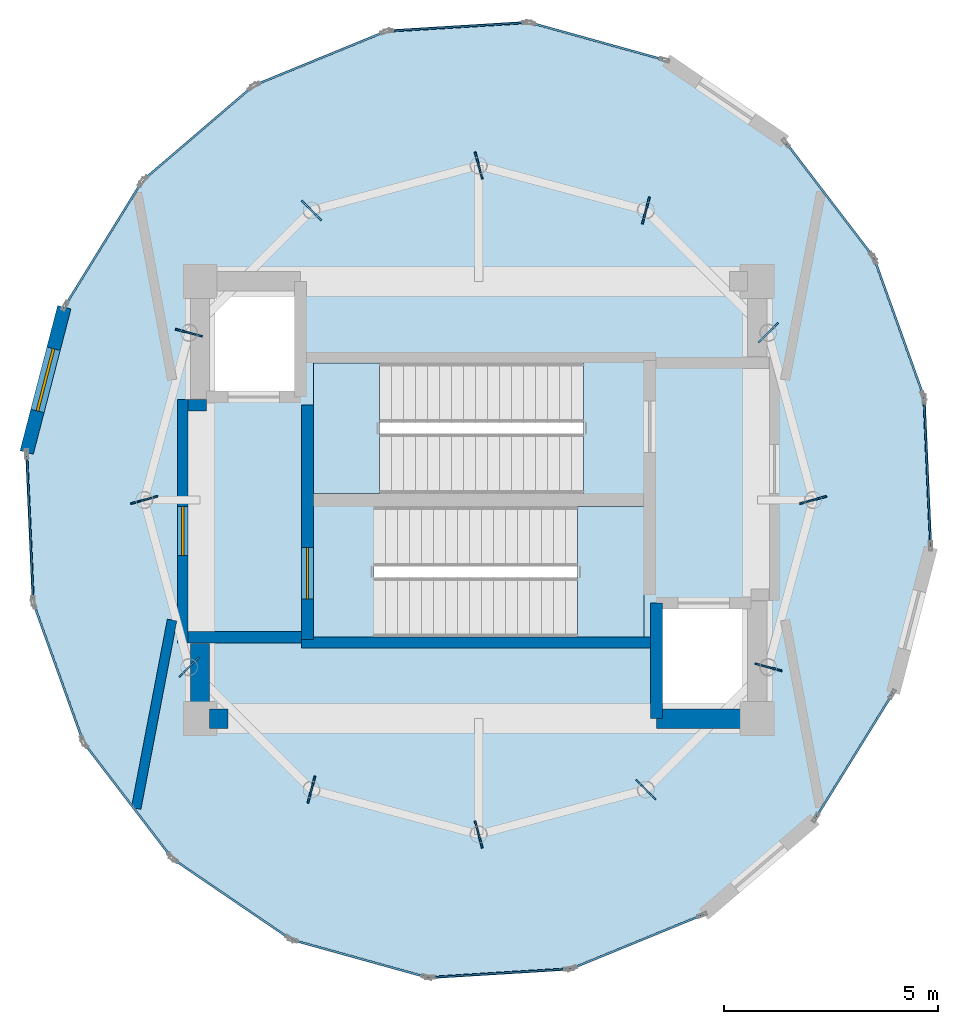
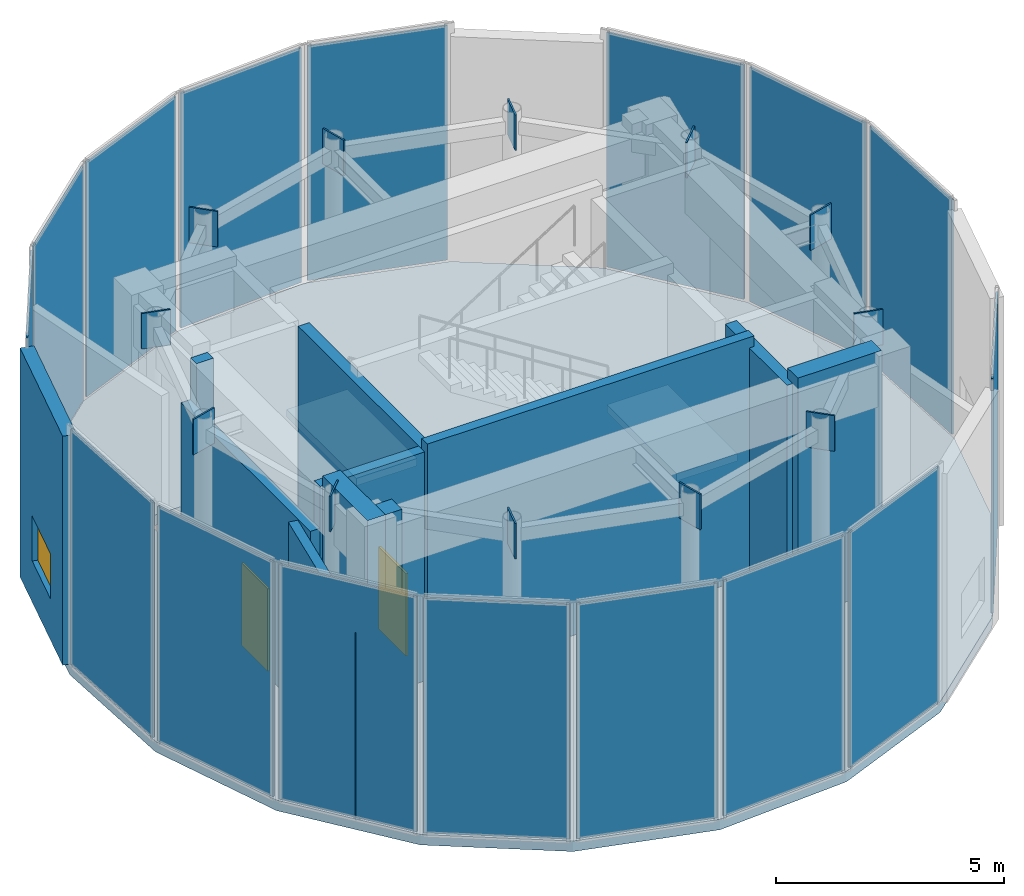
# One storey, part 6 of 8: 28 plates, 11 walls, 3 slabs, 2 doors, 1 window, 3 openings, 18 elements without a shape of their own.
"""IFC4 building model written with IfcOpenShell, lengths in metres."""

from ifc_helpers import new_model, si_unit, direction, frame, frame_2d, origin, origin_2d, place, context, subcontext, project, spatial, polyline, rectangle, outline, extrude, source, transform, mapped, material, layer, layer_set, type_object, element, fill, aggregate, save


model = new_model("IFC4")

# Units and contexts
model_context = context("Model", 3, precision=1e-05, world=origin(), true_north=direction((0.0, 1.0)))
body_context = subcontext(model_context, "Body", "Model", "MODEL_VIEW")
ifc_project = project(units=[si_unit("LENGTHUNIT", "METRE"), si_unit("AREAUNIT", "SQUARE_METRE"), si_unit("VOLUMEUNIT", "CUBIC_METRE"), si_unit("PLANEANGLEUNIT", "RADIAN"), si_unit("MASSUNIT", "GRAM", prefix="KILO")], contexts=[model_context])

# Site, building, storey
site_placement = place(None, origin())
site = spatial("IfcSite", under=ifc_project, at=site_placement, CompositionType="ELEMENT")
building_placement = place(site_placement, origin())
building = spatial("IfcBuilding", under=site, at=building_placement, Name="Solvirekh Grand Hotel", CompositionType="ELEMENT")
storey_placement = place(building_placement, frame((0.0, 0.0, 321.0)))
storey = spatial("IfcBuildingStorey", under=building, at=storey_placement, Name="L81", CompositionType="ELEMENT", Elevation=321.0)

# Stair, slab
ifc_material_1 = material(Name="Concrete C40/50", Category="concrete")
stair_type = type_object("IfcStairType", Name="Stair_Core_1450", PredefinedType="HALF_TURN_STAIR", material=ifc_material_1)
stair_1_placement = place(storey_placement, origin())
stair_1 = element("IfcStair", 1, at=stair_1_placement, inside=storey, type_object=stair_type, Name="L81 Enclosed exit stair ST-1", PredefinedType="HALF_TURN_STAIR")
ifc_layer_1 = layer(ifc_material_1, 0.199951171875)
ifc_layer_set_1 = layer_set([ifc_layer_1], Name="Concrete C40/50")
slab_type_1 = type_object("IfcSlabType", Name="Landing_Stair_200", PredefinedType="LANDING", material=ifc_layer_set_1)
slab_1_placement = place(storey_placement, frame((0.0, 0.0, 3.0)))
slab_1 = element("IfcSlab", 2, at=slab_1_placement, type_object=slab_type_1, Name="ST-1 landing 1", PredefinedType="LANDING", context=body_context, shape_type="SweptSolid", body=[
    extrude(outline(polyline([(2.31005859375, -3.199951171875), (3.85009765625, -3.199951171875), (3.85009765625, -0.14990234375), (2.31005859375, -0.14990234375), (2.31005859375, -3.199951171875)])), origin(), (0.0, 0.0, 1.0), 0.199951171875),
])
aggregate(stair_1, [slab_1])

stair_2_placement = place(storey_placement, origin())
stair_2 = element("IfcStair", 3, at=stair_2_placement, inside=storey, type_object=stair_type, Name="L81 Enclosed exit stair ST-2", PredefinedType="HALF_TURN_STAIR")
slab_2_placement = place(storey_placement, frame((0.0, 0.0, 3.0)))
slab_2 = element("IfcSlab", 4, at=slab_2_placement, type_object=slab_type_1, Name="ST-2 landing 1", PredefinedType="LANDING", context=body_context, shape_type="SweptSolid", body=[
    extrude(outline(polyline([(-2.31005859375, 3.199951171875), (-3.85009765625, 3.199951171875), (-3.85009765625, 0.14990234375), (-2.31005859375, 0.14990234375), (-2.31005859375, 3.199951171875)])), origin(), (0.0, 0.0, 1.0), 0.199951171875),
])
aggregate(stair_2, [slab_2])

# Plates
ifc_material_2 = material(Name="Steel S355", Category="steel")
ifc_layer_2 = layer(ifc_material_2, 0.0400390625)
ifc_layer_set_2 = layer_set([ifc_layer_2], Name="Steel S355")
plate_type_1 = type_object("IfcPlateType", Name="NodeCapPlate_40", PredefinedType="SHEET", material=ifc_layer_set_2)
for number, where, z_axis, x_axis, name in (
    (5, (7.800048828125, 0.0, 5.47021484375), (0.0, 0.0, 1.0), (-0.258819045103, 0.965925826289, 0.0), "L81 hollow-section node plate NP-L81-SP01"),
    (6, (6.7548828125, 3.89990234375, 5.47021484375), (0.0, 0.0, 1.0), (-0.707106781187, 0.707106781187, 0.0), "L81 hollow-section node plate NP-L81-SP02"),
    (7, (3.89990234375, 6.7548828125, 5.47021484375), (0.0, 0.0, 1.0), (-0.965925826289, 0.258819045103, 0.0), "L81 hollow-section node plate NP-L81-SP03"),
    (8, (0.0, 7.800048828125, 5.47021484375), (0.0, 0.0, 1.0), (-0.965925826289, -0.258819045103, 0.0), "L81 hollow-section node plate NP-L81-SP04"),
    (9, (-3.89990234375, 6.7548828125, 5.47021484375), (0.0, 0.0, 1.0), (-0.707106781187, -0.707106781187, 0.0), "L81 hollow-section node plate NP-L81-SP05"),
    (10, (-6.7548828125, 3.89990234375, 5.47021484375), (0.0, 0.0, 1.0), (-0.258819045103, -0.965925826289, 0.0), "L81 hollow-section node plate NP-L81-SP06"),
    (11, (-7.800048828125, 0.0, 5.47021484375), (0.0, 0.0, 1.0), (0.258819045103, -0.965925826289, 0.0), "L81 hollow-section node plate NP-L81-SP07"),
    (12, (-6.7548828125, -3.89990234375, 5.47021484375), (0.0, 0.0, 1.0), (0.707106781187, -0.707106781187, 0.0), "L81 hollow-section node plate NP-L81-SP08"),
    (13, (-3.89990234375, -6.7548828125, 5.47021484375), (0.0, 0.0, 1.0), (0.965925826289, -0.258819045103, 0.0), "L81 hollow-section node plate NP-L81-SP09"),
    (14, (0.0, -7.800048828125, 5.47021484375), (0.0, 0.0, 1.0), (0.965925826289, 0.258819045103, 0.0), "L81 hollow-section node plate NP-L81-SP10"),
    (15, (3.89990234375, -6.7548828125, 5.47021484375), (0.0, 0.0, 1.0), (0.707106781187, 0.707106781187, 0.0), "L81 hollow-section node plate NP-L81-SP11"),
    (16, (6.7548828125, -3.89990234375, 5.47021484375), (0.0, 0.0, 1.0), (0.258819045103, 0.965925826289, 0.0), "L81 hollow-section node plate NP-L81-SP12"),
):
    element("IfcPlate", number, at=place(storey_placement, frame(where, z_axis=z_axis, x_axis=x_axis)), inside=storey, type_object=plate_type_1, Name=name, PredefinedType="SHEET", context=body_context, shape_type="SweptSolid", body=[
        extrude(rectangle(XDim=0.0400390625, YDim=0.64990234375, at=origin_2d()), origin(), (0.0, 0.0, 1.0), 0.949951171875),
    ])

# Slab
ifc_layer_3 = layer(ifc_material_1, 0.280029296875)
ifc_layer_set_3 = layer_set([ifc_layer_3], Name="Concrete C40/50")
slab_type_2 = type_object("IfcSlabType", Name="Slab_Crown_280", PredefinedType="FLOOR", material=ifc_layer_set_3)
slab_3_placement = place(storey_placement, frame((0.0, 0.0, -0.280029296875)))
element("IfcSlab", 17, at=slab_3_placement, inside=storey, type_object=slab_type_2, Name="L81 structural floor slab", PredefinedType="FLOOR", context=body_context, shape_type="SweptSolid", body=[
    extrude(outline(polyline([(-1.1708984375, -11.138916015625), (2.14404296875, -10.93603515625), (5.2490234375, -9.6630859375), (7.840087890625, -7.444091796875), (9.6640625, -4.49609375), (10.5419921875, -1.10791015625), (10.387939453125, 2.387939453125), (9.217041015625, 5.65087890625), (7.14404296875, 8.360107421875), (4.37109375, 10.2509765625), (1.1708984375, 11.138916015625), (-2.14404296875, 10.93603515625), (-5.2490234375, 9.6630859375), (-7.840087890625, 7.444091796875), (-9.6640625, 4.49609375), (-10.5419921875, 1.10791015625), (-10.387939453125, -2.387939453125), (-9.217041015625, -5.65087890625), (-7.14404296875, -8.360107421875), (-4.37109375, -10.2509765625), (-1.1708984375, -11.138916015625)]), holes=[polyline([(-2.444091796875, -0.14990234375), (3.85009765625, -0.14990234375), (3.85009765625, -3.199951171875), (-2.444091796875, -3.199951171875), (-2.444091796875, -0.14990234375)]), polyline([(2.444091796875, 0.14990234375), (-3.85009765625, 0.14990234375), (-3.85009765625, 3.199951171875), (2.444091796875, 3.199951171875), (2.444091796875, 0.14990234375)]), polyline([(-6.35009765625, 5.10009765625), (-4.14990234375, 5.10009765625), (-4.14990234375, 2.39990234375), (-6.35009765625, 2.39990234375), (-6.35009765625, 5.10009765625)]), polyline([(4.14990234375, -2.39990234375), (6.35009765625, -2.39990234375), (6.35009765625, -5.10009765625), (4.14990234375, -5.10009765625), (4.14990234375, -2.39990234375)])]), origin(), (0.0, 0.0, 1.0), 0.280029296875),
])

# Curtain wall, plate
ifc_material_3 = material(Name="Anodized Bronze Aluminium 6063-T6", Category="aluminium")
ifc_layer_4 = layer(ifc_material_3, 0.219970703125)
ifc_layer_set_4 = layer_set([ifc_layer_4], Name="Anodized Bronze Aluminium 6063-T6")
curtain_wall_type = type_object("IfcCurtainWallType", Name="CW_Sys6_CrownFacetedPointCW", PredefinedType="NOTDEFINED", material=ifc_layer_set_4)
curtain_wall_1_placement = place(storey_placement, origin())
curtain_wall_1 = element("IfcCurtainWall", 18, at=curtain_wall_1_placement, inside=storey, type_object=curtain_wall_type, Name="L81 unitised bronze-glass curtain wall CW-L81-C01", PredefinedType="NOTDEFINED")
ifc_material_4 = material(Name="Champagne Low-Iron Crown Laminated Glass", Category="glass")
ifc_layer_5 = layer(ifc_material_4, 0.0458984375)
ifc_layer_set_5 = layer_set([ifc_layer_5], Name="Champagne Low-Iron Crown Laminated Glass")
plate_type_2 = type_object("IfcPlateType", Name="CWPanel_Crown_46", PredefinedType="CURTAIN_PANEL", material=ifc_layer_set_5)
shared_shape_1 = source(origin(), body_context, "Body", "SweptSolid", [
    extrude(rectangle(XDim=3.171142578125, YDim=0.0458984375, at=origin_2d()), origin(), (0.0, 0.0, 1.0), 6.27001953125),
])
plate_1_placement = place(storey_placement, frame((0.486572265625, -11.03759765625, 0.06494140625), z_axis=(0.0, 0.0, 1.0), x_axis=(0.998130283875, 0.061122306981, 0.0)))
plate_1 = element("IfcPlate", 19, at=plate_1_placement, type_object=plate_type_2, Name="U06 panel 1.1", PredefinedType="CURTAIN_PANEL", context=body_context, shape_type="MappedRepresentation", body=[
    mapped(shared_shape_1, transform((0.0, 0.0, 0.0), x_axis=(1.0, 0.0, 0.0), y_axis=(0.0, 1.0, 0.0), z_axis=(0.0, 0.0, 1.0), scale=1.0)),
])
aggregate(curtain_wall_1, [plate_1])

curtain_wall_2_placement = place(storey_placement, origin())
curtain_wall_2 = element("IfcCurtainWall", 20, at=curtain_wall_2_placement, inside=storey, type_object=curtain_wall_type, Name="L81 unitised bronze-glass curtain wall CW-L81-C11", PredefinedType="NOTDEFINED")
plate_2_placement = place(storey_placement, frame((-0.486572265625, 11.03759765625, 0.06494140625), z_axis=(0.0, 0.0, 1.0), x_axis=(-0.998130283875, -0.061122306981, 0.0)))
plate_2 = element("IfcPlate", 21, at=plate_2_placement, type_object=plate_type_2, Name="U06 panel 1.1", PredefinedType="CURTAIN_PANEL", context=body_context, shape_type="MappedRepresentation", body=[
    mapped(shared_shape_1, transform((0.0, 0.0, 0.0), x_axis=(1.0, 0.0, 0.0), y_axis=(0.0, 1.0, 0.0), z_axis=(0.0, 0.0, 1.0), scale=1.0)),
])
aggregate(curtain_wall_2, [plate_2])

curtain_wall_3_placement = place(storey_placement, origin())
curtain_wall_3 = element("IfcCurtainWall", 22, at=curtain_wall_3_placement, inside=storey, type_object=curtain_wall_type, Name="L81 unitised bronze-glass curtain wall CW-L81-C02", PredefinedType="NOTDEFINED")
shared_shape_2 = source(origin(), body_context, "Body", "SweptSolid", [
    extrude(rectangle(XDim=3.205810546875, YDim=0.0458984375, at=origin_2d()), origin(), (0.0, 0.0, 1.0), 6.27001953125),
])
plate_3_placement = place(storey_placement, frame((3.696533203125, -10.299560546875, 0.06494140625), z_axis=(0.0, 0.0, 1.0), x_axis=(0.925257134793, 0.379340525801, 0.0)))
plate_3 = element("IfcPlate", 23, at=plate_3_placement, type_object=plate_type_2, Name="U06 panel 1.1", PredefinedType="CURTAIN_PANEL", context=body_context, shape_type="MappedRepresentation", body=[
    mapped(shared_shape_2, transform((0.0, 0.0, 0.0), x_axis=(1.0, 0.0, 0.0), y_axis=(0.0, 1.0, 0.0), z_axis=(0.0, 0.0, 1.0), scale=1.0)),
])
aggregate(curtain_wall_3, [plate_3])

curtain_wall_4_placement = place(storey_placement, origin())
curtain_wall_4 = element("IfcCurtainWall", 24, at=curtain_wall_4_placement, inside=storey, type_object=curtain_wall_type, Name="L81 unitised bronze-glass curtain wall CW-L81-C12", PredefinedType="NOTDEFINED")
plate_4_placement = place(storey_placement, frame((-3.696533203125, 10.299560546875, 0.06494140625), z_axis=(0.0, 0.0, 1.0), x_axis=(-0.925257134793, -0.379340525801, 0.0)))
plate_4 = element("IfcPlate", 25, at=plate_4_placement, type_object=plate_type_2, Name="U06 panel 1.1", PredefinedType="CURTAIN_PANEL", context=body_context, shape_type="MappedRepresentation", body=[
    mapped(shared_shape_2, transform((0.0, 0.0, 0.0), x_axis=(1.0, 0.0, 0.0), y_axis=(0.0, 1.0, 0.0), z_axis=(0.0, 0.0, 1.0), scale=1.0)),
])
aggregate(curtain_wall_4, [plate_4])

curtain_wall_5_placement = place(storey_placement, origin())
curtain_wall_5 = element("IfcCurtainWall", 26, at=curtain_wall_5_placement, inside=storey, type_object=curtain_wall_type, Name="L81 unitised bronze-glass curtain wall CW-L81-C04", PredefinedType="NOTDEFINED")
shared_shape_3 = source(origin(), body_context, "Body", "SweptSolid", [
    extrude(rectangle(XDim=3.316650390625, YDim=0.0458984375, at=origin_2d()), origin(), (0.0, 0.0, 1.0), 6.27001953125),
])
plate_5_placement = place(storey_placement, frame((8.751953125, -5.969970703125, 0.06494140625), z_axis=(0.0, 0.0, 1.0), x_axis=(0.52615598659, 0.850388074808, 0.0)))
plate_5 = element("IfcPlate", 27, at=plate_5_placement, type_object=plate_type_2, Name="U06 panel 1.1", PredefinedType="CURTAIN_PANEL", context=body_context, shape_type="MappedRepresentation", body=[
    mapped(shared_shape_3, transform((0.0, 0.0, 0.0), x_axis=(1.0, 0.0, 0.0), y_axis=(0.0, 1.0, 0.0), z_axis=(0.0, 0.0, 1.0), scale=1.0)),
])
aggregate(curtain_wall_5, [plate_5])

curtain_wall_6_placement = place(storey_placement, origin())
curtain_wall_6 = element("IfcCurtainWall", 28, at=curtain_wall_6_placement, inside=storey, type_object=curtain_wall_type, Name="L81 unitised bronze-glass curtain wall CW-L81-C07", PredefinedType="NOTDEFINED")
plate_6_placement = place(storey_placement, frame((9.802490234375, 4.01953125, 0.06494140625), z_axis=(0.0, 0.0, 1.0), x_axis=(-0.337779576826, 0.941225242691, 0.0)))
plate_6 = element("IfcPlate", 29, at=plate_6_placement, type_object=plate_type_2, Name="U06 panel 1.1", PredefinedType="CURTAIN_PANEL", context=body_context, shape_type="MappedRepresentation", body=[
    mapped(shared_shape_3, transform((0.0, 0.0, 0.0), x_axis=(1.0, 0.0, 0.0), y_axis=(0.0, 1.0, 0.0), z_axis=(0.0, 0.0, 1.0), scale=1.0)),
])
aggregate(curtain_wall_6, [plate_6])

curtain_wall_7_placement = place(storey_placement, origin())
curtain_wall_7 = element("IfcCurtainWall", 30, at=curtain_wall_7_placement, inside=storey, type_object=curtain_wall_type, Name="L81 unitised bronze-glass curtain wall CW-L81-C14", PredefinedType="NOTDEFINED")
plate_7_placement = place(storey_placement, frame((-8.751953125, 5.969970703125, 0.06494140625), z_axis=(0.0, 0.0, 1.0), x_axis=(-0.52615598659, -0.850388074808, 0.0)))
plate_7 = element("IfcPlate", 31, at=plate_7_placement, type_object=plate_type_2, Name="U06 panel 1.1", PredefinedType="CURTAIN_PANEL", context=body_context, shape_type="MappedRepresentation", body=[
    mapped(shared_shape_3, transform((0.0, 0.0, 0.0), x_axis=(1.0, 0.0, 0.0), y_axis=(0.0, 1.0, 0.0), z_axis=(0.0, 0.0, 1.0), scale=1.0)),
])
aggregate(curtain_wall_7, [plate_7])

curtain_wall_8_placement = place(storey_placement, origin())
curtain_wall_8 = element("IfcCurtainWall", 32, at=curtain_wall_8_placement, inside=storey, type_object=curtain_wall_type, Name="L81 unitised bronze-glass curtain wall CW-L81-C17", PredefinedType="NOTDEFINED")
plate_8_placement = place(storey_placement, frame((-9.802490234375, -4.01953125, 0.06494140625), z_axis=(0.0, 0.0, 1.0), x_axis=(0.337779576826, -0.941225242691, 0.0)))
plate_8 = element("IfcPlate", 33, at=plate_8_placement, type_object=plate_type_2, Name="U06 panel 1.1", PredefinedType="CURTAIN_PANEL", context=body_context, shape_type="MappedRepresentation", body=[
    mapped(shared_shape_3, transform((0.0, 0.0, 0.0), x_axis=(1.0, 0.0, 0.0), y_axis=(0.0, 1.0, 0.0), z_axis=(0.0, 0.0, 1.0), scale=1.0)),
])
aggregate(curtain_wall_8, [plate_8])

curtain_wall_9_placement = place(storey_placement, origin())
curtain_wall_9 = element("IfcCurtainWall", 34, at=curtain_wall_9_placement, inside=storey, type_object=curtain_wall_type, Name="L81 unitised bronze-glass curtain wall CW-L81-C06", PredefinedType="NOTDEFINED")
shared_shape_4 = source(origin(), body_context, "Body", "SweptSolid", [
    extrude(rectangle(XDim=3.349365234375, YDim=0.0458984375, at=origin_2d()), origin(), (0.0, 0.0, 1.0), 6.27001953125),
])
plate_9_placement = place(storey_placement, frame((10.465087890625, 0.639892578125, 0.06494140625), z_axis=(0.0, 0.0, 1.0), x_axis=(-0.044007666982, 0.99903119333, 0.0)))
plate_9 = element("IfcPlate", 35, at=plate_9_placement, type_object=plate_type_2, Name="U06 panel 1.1", PredefinedType="CURTAIN_PANEL", context=body_context, shape_type="MappedRepresentation", body=[
    mapped(shared_shape_4, transform((0.0, 0.0, 0.0), x_axis=(1.0, 0.0, 0.0), y_axis=(0.0, 1.0, 0.0), z_axis=(0.0, 0.0, 1.0), scale=1.0)),
])
aggregate(curtain_wall_9, [plate_9])

curtain_wall_10_placement = place(storey_placement, origin())
curtain_wall_10 = element("IfcCurtainWall", 36, at=curtain_wall_10_placement, inside=storey, type_object=curtain_wall_type, Name="L81 unitised bronze-glass curtain wall CW-L81-C16", PredefinedType="NOTDEFINED")
plate_10_placement = place(storey_placement, frame((-10.465087890625, -0.639892578125, 0.06494140625), z_axis=(0.0, 0.0, 1.0), x_axis=(0.044007666982, -0.99903119333, 0.0)))
plate_10 = element("IfcPlate", 37, at=plate_10_placement, type_object=plate_type_2, Name="U06 panel 1.1", PredefinedType="CURTAIN_PANEL", context=body_context, shape_type="MappedRepresentation", body=[
    mapped(shared_shape_4, transform((0.0, 0.0, 0.0), x_axis=(1.0, 0.0, 0.0), y_axis=(0.0, 1.0, 0.0), z_axis=(0.0, 0.0, 1.0), scale=1.0)),
])
aggregate(curtain_wall_10, [plate_10])

curtain_wall_11_placement = place(storey_placement, origin())
curtain_wall_11 = element("IfcCurtainWall", 38, at=curtain_wall_11_placement, inside=storey, type_object=curtain_wall_type, Name="L81 unitised bronze-glass curtain wall CW-L81-C08", PredefinedType="NOTDEFINED")
shared_shape_5 = source(origin(), body_context, "Body", "SweptSolid", [
    extrude(rectangle(XDim=3.26123046875, YDim=0.0458984375, at=origin_2d()), origin(), (0.0, 0.0, 1.0), 6.27001953125),
])
plate_11_placement = place(storey_placement, frame((8.180419921875, 7.005615234375, 0.06494140625), z_axis=(0.0, 0.0, 1.0), x_axis=(-0.607711226311, 0.79415808591, 0.0)))
plate_11 = element("IfcPlate", 39, at=plate_11_placement, type_object=plate_type_2, Name="U06 panel 1.1", PredefinedType="CURTAIN_PANEL", context=body_context, shape_type="MappedRepresentation", body=[
    mapped(shared_shape_5, transform((0.0, 0.0, 0.0), x_axis=(1.0, 0.0, 0.0), y_axis=(0.0, 1.0, 0.0), z_axis=(0.0, 0.0, 1.0), scale=1.0)),
])
aggregate(curtain_wall_11, [plate_11])

curtain_wall_12_placement = place(storey_placement, origin())
curtain_wall_12 = element("IfcCurtainWall", 40, at=curtain_wall_12_placement, inside=storey, type_object=curtain_wall_type, Name="L81 unitised bronze-glass curtain wall CW-L81-C13", PredefinedType="NOTDEFINED")
plate_12_placement = place(storey_placement, frame((-6.54443359375, 8.553466796875, 0.06494140625), z_axis=(0.0, 0.0, 1.0), x_axis=(-0.759525536496, -0.650477485706, 0.0)))
plate_12 = element("IfcPlate", 41, at=plate_12_placement, type_object=plate_type_2, Name="U06 panel 1.1", PredefinedType="CURTAIN_PANEL", context=body_context, shape_type="MappedRepresentation", body=[
    mapped(shared_shape_5, transform((0.0, 0.0, 0.0), x_axis=(1.0, 0.0, 0.0), y_axis=(0.0, 1.0, 0.0), z_axis=(0.0, 0.0, 1.0), scale=1.0)),
])
aggregate(curtain_wall_12, [plate_12])

curtain_wall_13_placement = place(storey_placement, origin())
curtain_wall_13 = element("IfcCurtainWall", 42, at=curtain_wall_13_placement, inside=storey, type_object=curtain_wall_type, Name="L81 unitised bronze-glass curtain wall CW-L81-C18", PredefinedType="NOTDEFINED")
plate_13_placement = place(storey_placement, frame((-8.180419921875, -7.005615234375, 0.06494140625), z_axis=(0.0, 0.0, 1.0), x_axis=(0.607711226311, -0.79415808591, 0.0)))
plate_13 = element("IfcPlate", 43, at=plate_13_placement, type_object=plate_type_2, Name="U06 panel 1.1", PredefinedType="CURTAIN_PANEL", context=body_context, shape_type="MappedRepresentation", body=[
    mapped(shared_shape_5, transform((0.0, 0.0, 0.0), x_axis=(1.0, 0.0, 0.0), y_axis=(0.0, 1.0, 0.0), z_axis=(0.0, 0.0, 1.0), scale=1.0)),
])
aggregate(curtain_wall_13, [plate_13])

curtain_wall_14_placement = place(storey_placement, origin())
curtain_wall_14 = element("IfcCurtainWall", 44, at=curtain_wall_14_placement, inside=storey, type_object=curtain_wall_type, Name="L81 unitised bronze-glass curtain wall CW-L81-C10", PredefinedType="NOTDEFINED")
shared_shape_6 = source(origin(), body_context, "Body", "SweptSolid", [
    extrude(rectangle(XDim=3.1708984375, YDim=0.0458984375, at=origin_2d()), origin(), (0.0, 0.0, 1.0), 6.27001953125),
])
plate_14_placement = place(storey_placement, frame((2.77099609375, 10.695068359375, 0.06494140625), z_axis=(0.0, 0.0, 1.0), x_axis=(-0.963586902436, 0.267395365432, 0.0)))
plate_14 = element("IfcPlate", 45, at=plate_14_placement, type_object=plate_type_2, Name="U06 panel 1.1", PredefinedType="CURTAIN_PANEL", context=body_context, shape_type="MappedRepresentation", body=[
    mapped(shared_shape_6, transform((0.0, 0.0, 0.0), x_axis=(1.0, 0.0, 0.0), y_axis=(0.0, 1.0, 0.0), z_axis=(0.0, 0.0, 1.0), scale=1.0)),
])
aggregate(curtain_wall_14, [plate_14])

curtain_wall_15_placement = place(storey_placement, origin())
curtain_wall_15 = element("IfcCurtainWall", 46, at=curtain_wall_15_placement, inside=storey, type_object=curtain_wall_type, Name="L81 unitised bronze-glass curtain wall CW-L81-C20", PredefinedType="NOTDEFINED")
plate_15_placement = place(storey_placement, frame((-2.77099609375, -10.695068359375, 0.06494140625), z_axis=(0.0, 0.0, 1.0), x_axis=(0.963586902436, -0.267395365432, 0.0)))
plate_15 = element("IfcPlate", 47, at=plate_15_placement, type_object=plate_type_2, Name="U06 panel 1.1", PredefinedType="CURTAIN_PANEL", context=body_context, shape_type="MappedRepresentation", body=[
    mapped(shared_shape_6, transform((0.0, 0.0, 0.0), x_axis=(1.0, 0.0, 0.0), y_axis=(0.0, 1.0, 0.0), z_axis=(0.0, 0.0, 1.0), scale=1.0)),
])
aggregate(curtain_wall_15, [plate_15])

curtain_wall_16_placement = place(storey_placement, origin())
curtain_wall_16 = element("IfcCurtainWall", 48, at=curtain_wall_16_placement, inside=storey, type_object=curtain_wall_type, Name="L81 unitised bronze-glass curtain wall CW-L81-C19", PredefinedType="NOTDEFINED")
shared_shape_7 = source(origin(), body_context, "Body", "SweptSolid", [
    extrude(rectangle(XDim=3.206298828125, YDim=0.0458984375, at=origin_2d()), origin(), (0.0, 0.0, 1.0), 6.27001953125),
])
plate_16_placement = place(storey_placement, frame((-5.757568359375, -9.305419921875, 0.06494140625), z_axis=(0.0, 0.0, 1.0), x_axis=(0.82618321681, -0.563401537327, 0.0)))
plate_16 = element("IfcPlate", 49, at=plate_16_placement, type_object=plate_type_2, Name="U06 panel 1.1", PredefinedType="CURTAIN_PANEL", context=body_context, shape_type="MappedRepresentation", body=[
    mapped(shared_shape_7, transform((0.0, 0.0, 0.0), x_axis=(1.0, 0.0, 0.0), y_axis=(0.0, 1.0, 0.0), z_axis=(0.0, 0.0, 1.0), scale=1.0)),
])
aggregate(curtain_wall_16, [plate_16])

# Walls
ifc_material_5 = material(Name="Concrete C50/60", Category="concrete")
ifc_layer_6 = layer(ifc_material_5, 0.35009765625)
ifc_layer_set_6 = layer_set([ifc_layer_6], Name="Concrete C50/60")
wall_type_1 = type_object("IfcWallType", Name="CoreDivWall_RC350", PredefinedType="SOLIDWALL", material=ifc_layer_set_6)
wall_1_placement = place(storey_placement, frame((-4.1298828125, -3.324951171875, 0.0), z_axis=(0.0, 0.0, 1.0), x_axis=(1.0, 0.0, 0.0)))
element("IfcWall", 50, at=wall_1_placement, inside=storey, type_object=wall_type_1, Name="L81 core stair box wall ST-S", PredefinedType="SOLIDWALL", context=body_context, shape_type="SweptSolid", body=[
    extrude(rectangle(XDim=8.259765625, YDim=0.25, at=frame_2d((4.1298828125, 0.0))), origin(), (0.0, 0.0, 1.0), 6.39990234375),
])
ifc_layer_7 = layer(ifc_material_1, 0.280029296875)
ifc_layer_set_7 = layer_set([ifc_layer_7], Name="Concrete C40/50")
wall_type_2 = type_object("IfcWallType", Name="CoreShaftWall_RC280", PredefinedType="SOLIDWALL", material=ifc_layer_set_7)
wall_2_placement = place(storey_placement, frame((4.14990234375, -2.39990234375, 0.0), z_axis=(0.0, 0.0, 1.0), x_axis=(0.0, -1.0, 0.0)))
element("IfcWall", 51, at=wall_2_placement, inside=storey, type_object=wall_type_2, Name="L81 FL-2 hoistway W wall", PredefinedType="SOLIDWALL", context=body_context, shape_type="SweptSolid", body=[
    extrude(rectangle(XDim=2.7001953125, YDim=0.280029296875, at=frame_2d((1.35009765625, 0.0))), origin(), (0.0, 0.0, 1.0), 6.1201171875),
])

# Wall, opening, door
wall_3_placement = place(storey_placement, frame((-3.989990234375, -3.25, 0.0), z_axis=(0.0, 0.0, 1.0), x_axis=(0.0, 1.0, 0.0)))
wall_3 = element("IfcWall", 52, at=wall_3_placement, inside=storey, type_object=wall_type_2, Name="L81 west stair landing enclosure wall", PredefinedType="SOLIDWALL", context=body_context, shape_type="SweptSolid", body=[
    extrude(rectangle(XDim=5.4599609375, YDim=0.280029296875, at=frame_2d((2.72998046875, 0.0))), origin(), (0.0, 0.0, 1.0), 6.1201171875),
])
opening_1_placement = place(wall_3_placement, frame((0.93701171875, 0.0, 0.0)))
opening_1 = element("IfcOpeningElement", 53, at=opening_1_placement, cuts=wall_3, Name="Opening D05", PredefinedType="OPENING", context=body_context, shape_type="SweptSolid", body=[
    extrude(rectangle(XDim=1.199951171875, YDim=2.199951171875, at=frame_2d((0.60009765625, 1.10009765625))), frame((0.0, 0.14990234375, 0.0), z_axis=(0.0, -1.0, 0.0), x_axis=(1.0, 0.0, 0.0)), (0.0, 0.0, 1.0), 0.300048828125),
])
ifc_material_6 = material(Name="Fire-Rated Steel Door Assembly", Category="steel")
door_type_1 = type_object("IfcDoorType", Name="Door_StairCore_1200X2200", OperationType="NOTDEFINED", PredefinedType="DOOR", material=ifc_material_6)
door_1_placement = place(opening_1_placement, origin())
door_1 = element("IfcDoor", 54, at=door_1_placement, inside=storey, type_object=door_type_1, Name="L81 exit stair ST-1 fire door", OperationType="SINGLE_SWING_RIGHT", OverallHeight=2.199951171875, OverallWidth=1.199951171875, PredefinedType="DOOR", context=body_context, shape_type="SweptSolid", body=[
    extrude(rectangle(XDim=1.199951171875, YDim=2.199951171875, at=frame_2d((0.60009765625, 1.10009765625))), frame((0.0, 0.02490234375, 0.0), z_axis=(0.0, -1.0, 0.0), x_axis=(1.0, 0.0, 0.0)), (0.0, 0.0, 1.0), 0.050048828125),
])
fill(opening_1, door_1)

# Walls
ifc_layer_8 = layer(ifc_material_5, 0.449951171875)
ifc_layer_set_8 = layer_set([ifc_layer_8], Name="Concrete C50/60")
wall_type_3 = type_object("IfcWallType", Name="CoreWall_RC450", PredefinedType="SHEAR", material=ifc_layer_set_8)
wall_4_placement = place(storey_placement, frame((-6.27490234375, -5.10009765625, 0.0), z_axis=(0.0, 0.0, 1.0), x_axis=(1.0, 0.0, 0.0)))
element("IfcWall", 55, at=wall_4_placement, inside=storey, type_object=wall_type_3, Name="L81 core corner shear wall SW-S", PredefinedType="SHEAR", context=body_context, shape_type="SweptSolid", body=[
    extrude(rectangle(XDim=0.4248046875, YDim=0.449951171875, at=frame_2d((0.21240234375, 0.0))), origin(), (0.0, 0.0, 1.0), 6.39990234375),
])
wall_5_placement = place(storey_placement, frame((4.14990234375, -5.10009765625, 0.0), z_axis=(0.0, 0.0, 1.0), x_axis=(1.0, 0.0, 0.0)))
element("IfcWall", 56, at=wall_5_placement, inside=storey, type_object=wall_type_3, Name="L81 core corner shear wall SE-S", PredefinedType="SHEAR", context=body_context, shape_type="SweptSolid", body=[
    extrude(rectangle(XDim=2.125, YDim=0.449951171875, at=frame_2d((1.0625, 0.0))), origin(), (0.0, 0.0, 1.0), 6.39990234375),
])
wall_6_placement = place(storey_placement, frame((-6.5, -5.324951171875, 0.0), z_axis=(0.0, 0.0, 1.0), x_axis=(0.0, 1.0, 0.0)))
element("IfcWall", 57, at=wall_6_placement, inside=storey, type_object=wall_type_3, Name="L81 core corner shear wall WS-W", PredefinedType="SHEAR", context=body_context, shape_type="SweptSolid", body=[
    extrude(rectangle(XDim=1.974853515625, YDim=0.449951171875, at=frame_2d((0.9873046875, 0.0))), origin(), (0.0, 0.0, 1.0), 6.39990234375),
])

# Wall, opening, window
ifc_material_7 = material(Name="Precast concrete C45/55", Category="concrete")
ifc_layer_9 = layer(ifc_material_7, 0.320068359375)
ifc_layer_set_9 = layer_set([ifc_layer_9], Name="Precast concrete C45/55")
wall_type_4 = type_object("IfcWallType", Name="ExtLobbyWall_RC320", PredefinedType="SOLIDWALL", material=ifc_layer_set_9)
wall_7_placement = place(storey_placement, frame((-10.5419921875, 1.10791015625, 0.0), z_axis=(0.0, 0.0, 1.0), x_axis=(0.250831437046, 0.968030779567, 0.0)))
wall_7 = element("IfcWall", 58, at=wall_7_placement, inside=storey, type_object=wall_type_4, Name="L81 exterior structural wall chord 15", PredefinedType="SOLIDWALL", context=body_context, shape_type="SweptSolid", body=[
    extrude(rectangle(XDim=3.5, YDim=0.320068359375, at=frame_2d((1.75, 0.0))), origin(), (0.0, 0.0, 1.0), 6.1201171875),
])
opening_2_placement = place(wall_7_placement, frame((1.0, 0.0, 1.10009765625)))
opening_2 = element("IfcOpeningElement", 59, at=opening_2_placement, cuts=wall_7, Name="Opening W05", PredefinedType="OPENING", context=body_context, shape_type="SweptSolid", body=[
    extrude(rectangle(XDim=1.5, YDim=1.199951171875, at=frame_2d((0.75, 0.60009765625))), frame((0.0, 0.169921875, 0.0), z_axis=(0.0, -1.0, 0.0), x_axis=(1.0, 0.0, 0.0)), (0.0, 0.0, 1.0), 0.340087890625),
])
ifc_material_8 = material(Name="Low-E Tinted Bronze Laminated Glass", Category="aluminium")
window_type = type_object("IfcWindowType", Name="Win_PlantVent_1500X1200", PartitioningType="SINGLE_PANEL", PredefinedType="WINDOW", material=ifc_material_8)
window_placement = place(opening_2_placement, origin())
window = element("IfcWindow", 60, at=window_placement, inside=storey, type_object=window_type, Name="L81 mechanical louvre window 15", OverallHeight=1.199951171875, OverallWidth=1.5, PartitioningType="SINGLE_PANEL", PredefinedType="WINDOW", context=body_context, shape_type="SweptSolid", body=[
    extrude(rectangle(XDim=1.5, YDim=1.199951171875, at=frame_2d((0.75, 0.60009765625))), frame((0.0, 0.030029296875, 0.0), z_axis=(0.0, -1.0, 0.0), x_axis=(1.0, 0.0, 0.0)), (0.0, 0.0, 1.0), 0.06005859375),
])
fill(opening_2, window)

# Wall, opening, door
ifc_material_9 = material(Name="Acoustic Gypsum Partition Assembly")
ifc_layer_10 = layer(ifc_material_9, 0.239990234375)
ifc_layer_set_10 = layer_set([ifc_layer_10], Name="Acoustic Gypsum Partition Assembly")
wall_type_5 = type_object("IfcWallType", Name="Part_Corridor_240", PredefinedType="PARTITIONING", material=ifc_layer_set_10)
wall_8_placement = place(storey_placement, frame((-6.89990234375, -3.330078125, 0.0), z_axis=(0.0, 0.0, 1.0), x_axis=(0.0, 1.0, 0.0)))
wall_8 = element("IfcWall", 61, at=wall_8_placement, inside=storey, type_object=wall_type_5, Name="L81 west firefighting lobby smoke screen wall", PredefinedType="PARTITIONING", context=body_context, shape_type="SweptSolid", body=[
    extrude(rectangle(XDim=5.670166015625, YDim=0.239990234375, at=frame_2d((2.8349609375, 0.0))), origin(), (0.0, 0.0, 1.0), 5.0048828125),
])
opening_3_placement = place(wall_8_placement, frame((2.033935546875, 0.0, 0.0)))
opening_3 = element("IfcOpeningElement", 62, at=opening_3_placement, cuts=wall_8, Name="Opening D06", PredefinedType="OPENING", context=body_context, shape_type="SweptSolid", body=[
    extrude(rectangle(XDim=1.14990234375, YDim=2.199951171875, at=frame_2d((0.574951171875, 1.10009765625))), frame((0.0, 0.1298828125, 0.0), z_axis=(0.0, -1.0, 0.0), x_axis=(1.0, 0.0, 0.0)), (0.0, 0.0, 1.0), 0.260009765625),
])
door_type_2 = type_object("IfcDoorType", Name="Door_FFLobby_1150X2200", OperationType="NOTDEFINED", PredefinedType="DOOR", material=ifc_material_6)
door_2_placement = place(opening_3_placement, origin())
door_2 = element("IfcDoor", 63, at=door_2_placement, inside=storey, type_object=door_type_2, Name="L81 west firefighting lobby smoke door", OperationType="SINGLE_SWING_RIGHT", OverallHeight=2.199951171875, OverallWidth=1.14990234375, PredefinedType="DOOR", context=body_context, shape_type="SweptSolid", body=[
    extrude(rectangle(XDim=1.14990234375, YDim=2.199951171875, at=frame_2d((0.574951171875, 1.10009765625))), frame((0.0, 0.02490234375, 0.0), z_axis=(0.0, -1.0, 0.0), x_axis=(1.0, 0.0, 0.0)), (0.0, 0.0, 1.0), 0.050048828125),
])
fill(opening_3, door_2)

# Walls
ifc_layer_11 = layer(ifc_material_9, 0.260009765625)
ifc_layer_set_11 = layer_set([ifc_layer_11], Name="Acoustic Gypsum Partition Assembly")
wall_type_6 = type_object("IfcWallType", Name="Part_LobbyFF_260", PredefinedType="PARTITIONING", material=ifc_layer_set_11)
wall_9_placement = place(storey_placement, frame((-6.77490234375, -3.199951171875, 0.0), z_axis=(0.0, 0.0, 1.0), x_axis=(1.0, 0.0, 0.0)))
element("IfcWall", 64, at=wall_9_placement, inside=storey, type_object=wall_type_6, Name="L81 west firefighting lobby south partition", PredefinedType="PARTITIONING", context=body_context, shape_type="SweptSolid", body=[
    extrude(rectangle(XDim=2.64501953125, YDim=0.260009765625, at=frame_2d((1.322509765625, 0.0))), origin(), (0.0, 0.0, 1.0), 6.1201171875),
])
wall_10_placement = place(storey_placement, frame((-6.77490234375, 2.2099609375, 0.0), z_axis=(0.0, 0.0, 1.0), x_axis=(1.0, 0.0, 0.0)))
element("IfcWall", 65, at=wall_10_placement, inside=storey, type_object=wall_type_6, Name="L81 west firefighting lobby NW cheek", PredefinedType="PARTITIONING", context=body_context, shape_type="SweptSolid", body=[
    extrude(rectangle(XDim=0.4248046875, YDim=0.260009765625, at=frame_2d((0.21240234375, 0.0))), origin(), (0.0, 0.0, 1.0), 6.1201171875),
])
ifc_layer_12 = layer(ifc_material_7, 0.22509765625)
ifc_layer_set_12 = layer_set([ifc_layer_12], Name="Precast concrete C45/55")
wall_type_7 = type_object("IfcWallType", Name="Part_Plant_225", PredefinedType="PARTITIONING", material=ifc_layer_set_12)
wall_11_placement = place(storey_placement, frame((-7.14990234375, -2.800048828125, 0.0), z_axis=(0.0, 0.0, 1.0), x_axis=(-0.187455851304, -0.982273029158, 0.0)))
element("IfcWall", 66, at=wall_11_placement, inside=storey, type_object=wall_type_7, Name="L81 west crown plant south wall", PredefinedType="PARTITIONING", context=body_context, shape_type="SweptSolid", body=[
    extrude(rectangle(XDim=4.47119140625, YDim=0.22509765625, at=frame_2d((2.235595703125, 0.0))), origin(), (0.0, 0.0, 1.0), 5.0048828125),
])

save(model, "model.ifc")
